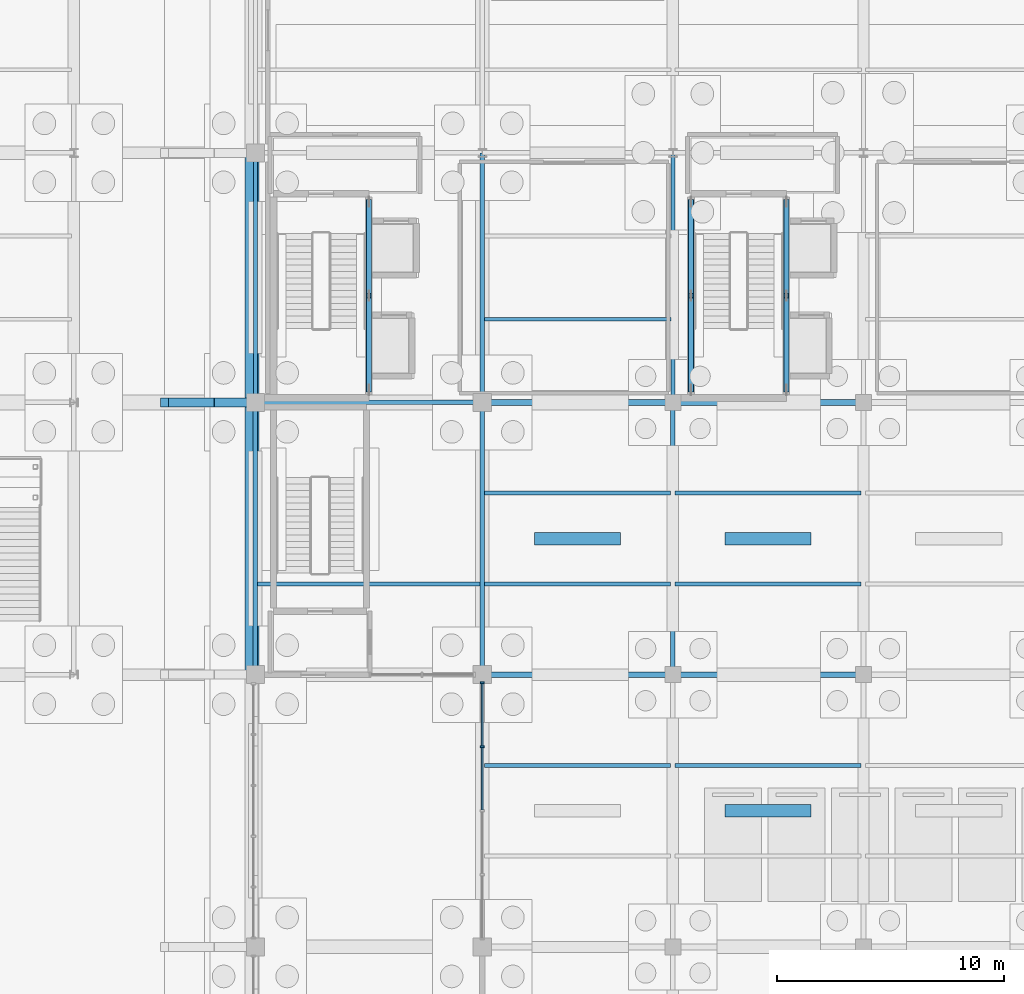
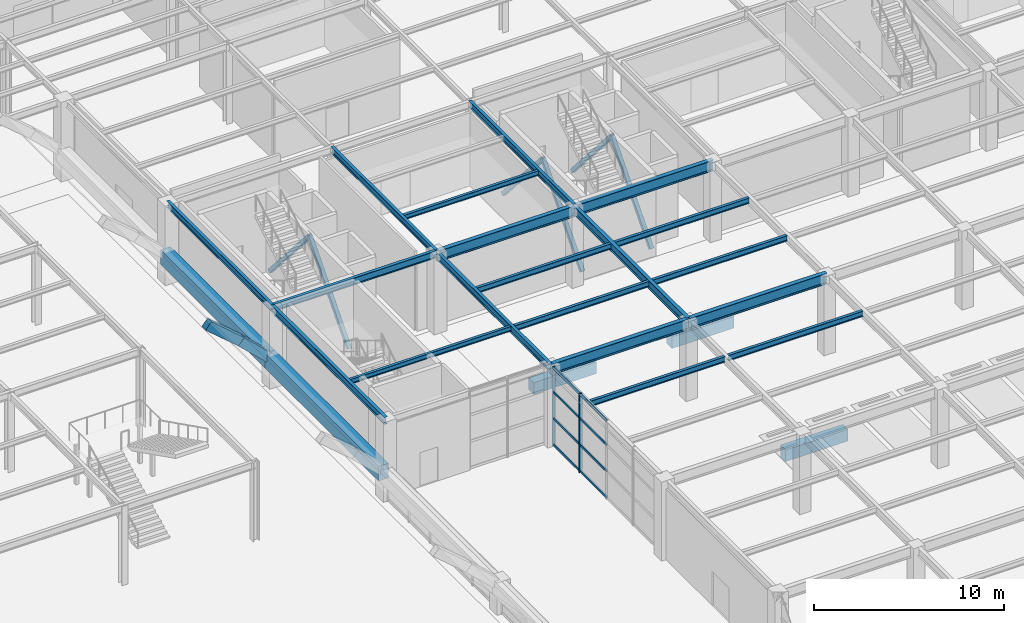
# One storey, part 59 of 129: 26 beams, 16 members, 1 element without a shape of its own.
"""IFC4 building model written with IfcOpenShell, lengths in metres."""

from ifc_helpers import new_model, si_unit, direction, frame, origin, origin_2d, place, context, subcontext, project, spatial, rectangle, hollow_rectangle, i_section, extrude, material, layer, layer_set, material_profile, profile_set, type_object, element, aggregate, save


model = new_model("IFC4")

# Units and contexts
model_context = context("Model", 3, precision=1e-05, world=origin(), true_north=direction((0.0, 1.0)))
body_context = subcontext(model_context, "Body", "Model", "MODEL_VIEW")
ifc_project = project(units=[si_unit("LENGTHUNIT", "METRE"), si_unit("AREAUNIT", "SQUARE_METRE"), si_unit("VOLUMEUNIT", "CUBIC_METRE"), si_unit("PLANEANGLEUNIT", "RADIAN"), si_unit("MASSUNIT", "GRAM", prefix="KILO")], contexts=[model_context])

# Site, building, storey
site_placement = place(None, origin())
site = spatial("IfcSite", under=ifc_project, at=site_placement, CompositionType="ELEMENT")
building_placement = place(site_placement, origin())
building = spatial("IfcBuilding", under=site, at=building_placement, Name="Sitalva Quay Ferry Terminal", CompositionType="ELEMENT")
storey_placement = place(building_placement, origin())
storey = spatial("IfcBuildingStorey", under=building, at=storey_placement, Name="L01", CompositionType="ELEMENT", Elevation=0.0)

# Beams
ifc_material_1 = material(Name="Concrete C40/50", Category="concrete")
ifc_material_profile_1 = material_profile(ifc_material_1, rectangle(XDim=0.39990234375, YDim=0.550048828125, at=origin_2d()), Name="RC400x550")
ifc_profile_set_1 = profile_set([ifc_material_profile_1], Name="Concrete C40/50")
beam_type_1 = type_object("IfcBeamType", Name="Beam_Arch_RC400x550", PredefinedType="BEAM", material=ifc_profile_set_1)
beam_1_placement = place(storey_placement, frame((70.0, 78.0, 5.219482421875), z_axis=(0.760297282494, 0.0, -0.649575278342), x_axis=(0.0, 1.0, 0.0)))
element("IfcBeam", 1, at=beam_1_placement, inside=storey, type_object=beam_type_1, Name="Vault V1 transverse arch rib 7.15", PredefinedType="BEAM", context=body_context, shape_type="SweptSolid", body=[
    extrude(rectangle(XDim=0.39990234375, YDim=0.550048828125, at=origin_2d()), origin(), (0.0, 0.0, 1.0), 2.630615234375),
])
beam_2_placement = place(storey_placement, frame((72.0, 78.0, 3.500732421875), z_axis=(0.725680279623, 0.0, -0.688032071757), x_axis=(0.0, 1.0, 0.0)))
element("IfcBeam", 2, at=beam_2_placement, inside=storey, type_object=beam_type_1, Name="Vault V1 transverse arch rib 7.16", PredefinedType="BEAM", context=body_context, shape_type="SweptSolid", body=[
    extrude(rectangle(XDim=0.39990234375, YDim=0.550048828125, at=origin_2d()), origin(), (0.0, 0.0, 1.0), 2.756103515625),
])
ifc_material_2 = material(Name="Concrete C40/50", Category="concrete")
ifc_material_profile_2 = material_profile(ifc_material_2, rectangle(XDim=0.60009765625, YDim=0.949951171875, at=origin_2d()), Name="RC600x950")
ifc_profile_set_2 = profile_set([ifc_material_profile_2], Name="Concrete C40/50")
beam_type_2 = type_object("IfcBeamType", Name="Beam_Edge_RC600x950", PredefinedType="BEAM", material=ifc_profile_set_2)
beam_3_placement = place(storey_placement, frame((73.85009765625, 66.0, 1.625), z_axis=(0.0, 1.0, 0.0), x_axis=(-1.0, 0.0, 0.0)))
element("IfcBeam", 3, at=beam_3_placement, inside=storey, type_object=beam_type_2, Name="Vault V1 longitudinal springing edge beam E bay 6", PredefinedType="BEAM", context=body_context, shape_type="SweptSolid", body=[
    extrude(rectangle(XDim=0.60009765625, YDim=0.949951171875, at=origin_2d()), origin(), (0.0, 0.0, 1.0), 12.0),
])
beam_4_placement = place(storey_placement, frame((73.85009765625, 78.0, 1.625), z_axis=(0.0, 1.0, 0.0), x_axis=(-1.0, 0.0, 0.0)))
element("IfcBeam", 4, at=beam_4_placement, inside=storey, type_object=beam_type_2, Name="Vault V1 longitudinal springing edge beam E bay 7", PredefinedType="BEAM", context=body_context, shape_type="SweptSolid", body=[
    extrude(rectangle(XDim=0.60009765625, YDim=0.949951171875, at=origin_2d()), origin(), (0.0, 0.0, 1.0), 11.0),
])
ifc_material_3 = material(Name="Structural Steel S355JR", Category="steel")
ifc_material_profile_3 = material_profile(ifc_material_3, i_section(OverallWidth=0.180908203125, OverallDepth=0.4169921875, WebThickness=0.010986328125, FlangeThickness=0.018310546875, FilletRadius=0.012939453125, at=origin_2d()), Name="W410x85")
ifc_profile_set_3 = profile_set([ifc_material_profile_3], Name="Structural Steel S355JR")
beam_type_3 = type_object("IfcBeamType", Name="Beam_W410x85", PredefinedType="BEAM", material=ifc_profile_set_3)
for number, where, z_axis, x_axis, name in (
    (5, (74.0, 78.0, 4.91162109375), (0.0, 1.0, 0.0), (-1.0, 0.0, 0.0), "L01 Primary Y girder 0524"),
    (6, (84.0, 78.0, 4.91162109375), (0.0, 1.0, 0.0), (-1.0, 0.0, 0.0), "L01 Primary Y girder 0527"),
    (7, (92.39990234375, 78.0, 4.91162109375), (0.0, 1.0, 0.0), (-1.0, 0.0, 0.0), "L01 Primary Y girder 0530"),
):
    element("IfcBeam", number, at=place(storey_placement, frame(where, z_axis=z_axis, x_axis=x_axis)), inside=storey, type_object=beam_type_3, Name=name, PredefinedType="BEAM", context=body_context, shape_type="SweptSolid", body=[
        extrude(i_section(OverallWidth=0.180908203125, OverallDepth=0.4169921875, WebThickness=0.010986328125, FlangeThickness=0.018310546875, FilletRadius=0.012939453125, at=origin_2d()), origin(), (0.0, 0.0, 1.0), 11.0),
    ])
ifc_material_4 = material(Name="Structural Steel S355JR", Category="steel")
ifc_material_profile_4 = material_profile(ifc_material_4, i_section(OverallWidth=0.19091796875, OverallDepth=0.4599609375, WebThickness=0.010009765625, FlangeThickness=0.01611328125, FilletRadius=0.013916015625, at=origin_2d()), Name="W460x82")
ifc_profile_set_4 = profile_set([ifc_material_profile_4], Name="Structural Steel S355JR")
beam_type_4 = type_object("IfcBeamType", Name="Beam_W460x82", PredefinedType="BEAM", material=ifc_profile_set_4)
beam_5_placement = place(storey_placement, frame((74.0, 78.0, 4.889892578125), z_axis=(1.0, 0.0, 0.0), x_axis=(0.0, 1.0, 0.0)))
element("IfcBeam", 8, at=beam_5_placement, inside=storey, type_object=beam_type_4, Name="L01 Primary X girder 0183", PredefinedType="BEAM", context=body_context, shape_type="SweptSolid", body=[
    extrude(i_section(OverallWidth=0.19091796875, OverallDepth=0.4599609375, WebThickness=0.010009765625, FlangeThickness=0.01611328125, FilletRadius=0.013916015625, at=origin_2d()), origin(), (0.0, 0.0, 1.0), 10.0),
])
for number, where, z_axis, x_axis, name in (
    (9, (74.0, 66.0, 4.889892578125), (0.0, 1.0, 0.0), (-1.0, 0.0, 0.0), "L01 Primary Y girder 0184"),
    (10, (84.0, 66.0, 4.85009765625), (0.0, 1.0, 0.0), (-1.0, 0.0, 0.0), "L01 Primary Y girder 0185"),
):
    element("IfcBeam", number, at=place(storey_placement, frame(where, z_axis=z_axis, x_axis=x_axis)), inside=storey, type_object=beam_type_4, Name=name, PredefinedType="BEAM", context=body_context, shape_type="SweptSolid", body=[
        extrude(i_section(OverallWidth=0.19091796875, OverallDepth=0.4599609375, WebThickness=0.010009765625, FlangeThickness=0.01611328125, FilletRadius=0.013916015625, at=origin_2d()), origin(), (0.0, 0.0, 1.0), 12.0),
    ])

# Members
ifc_material_5 = material(Name="Structural Steel S355JR", Category="steel")
ifc_material_profile_5 = material_profile(ifc_material_5, hollow_rectangle(XDim=0.25, YDim=0.25, WallThickness=0.012451171875, InnerFilletRadius=0.012451171875, OuterFilletRadius=0.02490234375, at=origin_2d()), Name="SHS250x250x12.5")
ifc_profile_set_5 = profile_set([ifc_material_profile_5], Name="Structural Steel S355JR")
member_type_1 = type_object("IfcMemberType", Name="Brace_SHS250x12", PredefinedType="BRACE", material=ifc_profile_set_5)
member_1_placement = place(storey_placement, frame((79.0, 78.550048828125, 0.14990234375), z_axis=(0.0, 0.657934438932, 0.753075211428), x_axis=(-1.0, 0.0, 0.0)))
element("IfcMember", 11, at=member_1_placement, inside=storey, type_object=member_type_1, Name="Braced frame BF2 L01 chevron A", PredefinedType="BRACE", context=body_context, shape_type="SweptSolid", body=[
    extrude(hollow_rectangle(XDim=0.25, YDim=0.25, WallThickness=0.012451171875, InnerFilletRadius=0.012451171875, OuterFilletRadius=0.02490234375, at=origin_2d()), origin(), (0.0, 0.0, 1.0), 6.307373046875),
])
member_2_placement = place(storey_placement, frame((79.0, 82.699951171875, 4.89990234375), z_axis=(0.0, 0.657956389457, -0.753056033488), x_axis=(-1.0, 0.0, 0.0)))
element("IfcMember", 12, at=member_2_placement, inside=storey, type_object=member_type_1, Name="Braced frame BF2 L01 chevron B", PredefinedType="BRACE", context=body_context, shape_type="SweptSolid", body=[
    extrude(hollow_rectangle(XDim=0.25, YDim=0.25, WallThickness=0.012451171875, InnerFilletRadius=0.012451171875, OuterFilletRadius=0.02490234375, at=origin_2d()), origin(), (0.0, 0.0, 1.0), 6.3076171875),
])
member_3_placement = place(storey_placement, frame((97.39990234375, 78.550048828125, 0.14990234375), z_axis=(0.0, 0.657934438932, 0.753075211428), x_axis=(-1.0, 0.0, 0.0)))
element("IfcMember", 13, at=member_3_placement, inside=storey, type_object=member_type_1, Name="Braced frame BF3 L01 chevron A", PredefinedType="BRACE", context=body_context, shape_type="SweptSolid", body=[
    extrude(hollow_rectangle(XDim=0.25, YDim=0.25, WallThickness=0.012451171875, InnerFilletRadius=0.012451171875, OuterFilletRadius=0.02490234375, at=origin_2d()), origin(), (0.0, 0.0, 1.0), 6.307373046875),
])
member_4_placement = place(storey_placement, frame((97.39990234375, 82.699951171875, 4.89990234375), z_axis=(0.0, 0.657956389457, -0.753056033488), x_axis=(-1.0, 0.0, 0.0)))
element("IfcMember", 14, at=member_4_placement, inside=storey, type_object=member_type_1, Name="Braced frame BF3 L01 chevron B", PredefinedType="BRACE", context=body_context, shape_type="SweptSolid", body=[
    extrude(hollow_rectangle(XDim=0.25, YDim=0.25, WallThickness=0.012451171875, InnerFilletRadius=0.012451171875, OuterFilletRadius=0.02490234375, at=origin_2d()), origin(), (0.0, 0.0, 1.0), 6.3076171875),
])
member_5_placement = place(storey_placement, frame((93.199951171875, 78.550048828125, 0.14990234375), z_axis=(0.0, 0.657934438932, 0.753075211428), x_axis=(-1.0, 0.0, 0.0)))
element("IfcMember", 15, at=member_5_placement, inside=storey, type_object=member_type_1, Name="Braced frame BF6 L01 chevron A", PredefinedType="BRACE", context=body_context, shape_type="SweptSolid", body=[
    extrude(hollow_rectangle(XDim=0.25, YDim=0.25, WallThickness=0.012451171875, InnerFilletRadius=0.012451171875, OuterFilletRadius=0.02490234375, at=origin_2d()), origin(), (0.0, 0.0, 1.0), 6.307373046875),
])
member_6_placement = place(storey_placement, frame((93.199951171875, 82.699951171875, 4.89990234375), z_axis=(0.0, 0.657956389457, -0.753056033488), x_axis=(-1.0, 0.0, 0.0)))
element("IfcMember", 16, at=member_6_placement, inside=storey, type_object=member_type_1, Name="Braced frame BF6 L01 chevron B", PredefinedType="BRACE", context=body_context, shape_type="SweptSolid", body=[
    extrude(hollow_rectangle(XDim=0.25, YDim=0.25, WallThickness=0.012451171875, InnerFilletRadius=0.012451171875, OuterFilletRadius=0.02490234375, at=origin_2d()), origin(), (0.0, 0.0, 1.0), 6.3076171875),
])

# Beams
ifc_material_6 = material(Name="Structural Steel S355JR", Category="steel")
ifc_material_profile_6 = material_profile(ifc_material_6, i_section(OverallWidth=0.2119140625, OverallDepth=0.5439453125, WebThickness=0.01318359375, FlangeThickness=0.021240234375, FilletRadius=0.014892578125, at=origin_2d()), Name="W530x123")
ifc_profile_set_6 = profile_set([ifc_material_profile_6], Name="Structural Steel S355JR")
beam_type_5 = type_object("IfcBeamType", Name="Girder_W530x123", PredefinedType="USERDEFINED", material=ifc_profile_set_6)
beam_6_placement = place(storey_placement, frame((92.39990234375, 66.0, 4.80810546875), z_axis=(0.0, 1.0, 0.0), x_axis=(-1.0, 0.0, 0.0)))
element("IfcBeam", 17, at=beam_6_placement, inside=storey, type_object=beam_type_5, Name="L01 Primary Y girder 0294", ObjectType="GIRDER", PredefinedType="USERDEFINED", context=body_context, shape_type="SweptSolid", body=[
    extrude(i_section(OverallWidth=0.2119140625, OverallDepth=0.5439453125, WebThickness=0.01318359375, FlangeThickness=0.021240234375, FilletRadius=0.014892578125, at=origin_2d()), origin(), (0.0, 0.0, 1.0), 12.0),
])
ifc_material_7 = material(Name="Structural Steel S355JR", Category="steel")
ifc_material_profile_7 = material_profile(ifc_material_7, i_section(OverallWidth=0.256103515625, OverallDepth=0.693115234375, WebThickness=0.014404296875, FlangeThickness=0.023681640625, FilletRadius=0.01806640625, at=origin_2d()), Name="W690x170")
ifc_profile_set_7 = profile_set([ifc_material_profile_7], Name="Structural Steel S355JR")
beam_type_6 = type_object("IfcBeamType", Name="Girder_W690x170", PredefinedType="USERDEFINED", material=ifc_profile_set_7)
beam_7_placement = place(storey_placement, frame((84.0, 66.0, 4.7333984375), z_axis=(1.0, 0.0, 0.0), x_axis=(0.0, 1.0, 0.0)))
element("IfcBeam", 18, at=beam_7_placement, inside=storey, type_object=beam_type_6, Name="L01 Primary X girder 0267", ObjectType="GIRDER", PredefinedType="USERDEFINED", context=body_context, shape_type="SweptSolid", body=[
    extrude(i_section(OverallWidth=0.256103515625, OverallDepth=0.693115234375, WebThickness=0.014404296875, FlangeThickness=0.023681640625, FilletRadius=0.01806640625, at=origin_2d()), origin(), (0.0, 0.0, 1.0), 8.39990234375),
])
beam_8_placement = place(storey_placement, frame((92.39990234375, 66.0, 4.7333984375), z_axis=(1.0, 0.0, 0.0), x_axis=(0.0, 1.0, 0.0)))
element("IfcBeam", 19, at=beam_8_placement, inside=storey, type_object=beam_type_6, Name="L01 Primary X girder 0268", ObjectType="GIRDER", PredefinedType="USERDEFINED", context=body_context, shape_type="SweptSolid", body=[
    extrude(i_section(OverallWidth=0.256103515625, OverallDepth=0.693115234375, WebThickness=0.014404296875, FlangeThickness=0.023681640625, FilletRadius=0.01806640625, at=origin_2d()), origin(), (0.0, 0.0, 1.0), 8.400146484375),
])
beam_9_placement = place(storey_placement, frame((84.0, 78.0, 4.7333984375), z_axis=(1.0, 0.0, 0.0), x_axis=(0.0, 1.0, 0.0)))
element("IfcBeam", 20, at=beam_9_placement, inside=storey, type_object=beam_type_6, Name="L01 Primary X girder 0277", ObjectType="GIRDER", PredefinedType="USERDEFINED", context=body_context, shape_type="SweptSolid", body=[
    extrude(i_section(OverallWidth=0.256103515625, OverallDepth=0.693115234375, WebThickness=0.014404296875, FlangeThickness=0.023681640625, FilletRadius=0.01806640625, at=origin_2d()), origin(), (0.0, 0.0, 1.0), 8.39990234375),
])
beam_10_placement = place(storey_placement, frame((92.39990234375, 78.0, 4.7333984375), z_axis=(1.0, 0.0, 0.0), x_axis=(0.0, 1.0, 0.0)))
element("IfcBeam", 21, at=beam_10_placement, inside=storey, type_object=beam_type_6, Name="L01 Primary X girder 0278", ObjectType="GIRDER", PredefinedType="USERDEFINED", context=body_context, shape_type="SweptSolid", body=[
    extrude(i_section(OverallWidth=0.256103515625, OverallDepth=0.693115234375, WebThickness=0.014404296875, FlangeThickness=0.023681640625, FilletRadius=0.01806640625, at=origin_2d()), origin(), (0.0, 0.0, 1.0), 8.400146484375),
])
ifc_material_8 = material(Name="Structural Steel S355JR", Category="steel")
ifc_material_profile_8 = material_profile(ifc_material_8, i_section(OverallWidth=0.166015625, OverallDepth=0.31298828125, WebThickness=0.006591796875, FlangeThickness=0.01123046875, FilletRadius=0.010986328125, at=origin_2d()), Name="W310x45")
ifc_profile_set_8 = profile_set([ifc_material_profile_8], Name="Structural Steel S355JR")
beam_type_7 = type_object("IfcBeamType", Name="Joist_W310x45", PredefinedType="JOIST", material=ifc_profile_set_8)
beam_11_placement = place(storey_placement, frame((74.095458984375, 70.0, 4.96337890625), z_axis=(1.0, 0.0, 0.0), x_axis=(0.0, 1.0, 0.0)))
element("IfcBeam", 22, at=beam_11_placement, inside=storey, type_object=beam_type_7, Name="L01 Secondary joist 0186", PredefinedType="JOIST", context=body_context, shape_type="SweptSolid", body=[
    extrude(i_section(OverallWidth=0.166015625, OverallDepth=0.31298828125, WebThickness=0.006591796875, FlangeThickness=0.01123046875, FilletRadius=0.010986328125, at=origin_2d()), origin(), (0.0, 0.0, 1.0), 9.80908203125),
])
beam_12_placement = place(storey_placement, frame((84.090576171875, 81.666748046875, 4.96337890625), z_axis=(1.0, 0.0, 0.0), x_axis=(0.0, 1.0, 0.0)))
element("IfcBeam", 23, at=beam_12_placement, inside=storey, type_object=beam_type_7, Name="L01 Secondary joist 0560", PredefinedType="JOIST", context=body_context, shape_type="SweptSolid", body=[
    extrude(i_section(OverallWidth=0.166015625, OverallDepth=0.31298828125, WebThickness=0.006591796875, FlangeThickness=0.01123046875, FilletRadius=0.010986328125, at=origin_2d()), origin(), (0.0, 0.0, 1.0), 8.218994140625),
])
ifc_material_9 = material(Name="Structural Steel S355JR", Category="steel")
ifc_material_profile_9 = material_profile(ifc_material_9, i_section(OverallWidth=0.172119140625, OverallDepth=0.35791015625, WebThickness=0.0078125, FlangeThickness=0.01318359375, FilletRadius=0.011962890625, at=origin_2d()), Name="W360x57")
ifc_profile_set_9 = profile_set([ifc_material_profile_9], Name="Structural Steel S355JR")
beam_type_8 = type_object("IfcBeamType", Name="Joist_W360x57", PredefinedType="JOIST", material=ifc_profile_set_9)
for number, where, z_axis, x_axis, name in (
    (24, (84.10009765625, 62.0, 4.90087890625), (1.0, 0.0, 0.0), (0.0, 1.0, 0.0), "L01 Secondary joist 0408"),
    (25, (92.5, 62.0, 4.90087890625), (1.0, 0.0, 0.0), (0.0, 1.0, 0.0), "L01 Secondary joist 0409"),
    (26, (84.10009765625, 70.0, 4.90087890625), (1.0, 0.0, 0.0), (0.0, 1.0, 0.0), "L01 Secondary joist 0418"),
    (27, (92.5, 70.0, 4.90087890625), (1.0, 0.0, 0.0), (0.0, 1.0, 0.0), "L01 Secondary joist 0419"),
    (28, (84.10009765625, 74.0, 4.90087890625), (1.0, 0.0, 0.0), (0.0, 1.0, 0.0), "L01 Secondary joist 0427"),
    (29, (92.5, 74.0, 4.90087890625), (1.0, 0.0, 0.0), (0.0, 1.0, 0.0), "L01 Secondary joist 0428"),
):
    element("IfcBeam", number, at=place(storey_placement, frame(where, z_axis=z_axis, x_axis=x_axis)), inside=storey, type_object=beam_type_8, Name=name, PredefinedType="JOIST", context=body_context, shape_type="SweptSolid", body=[
        extrude(i_section(OverallWidth=0.172119140625, OverallDepth=0.35791015625, WebThickness=0.0078125, FlangeThickness=0.01318359375, FilletRadius=0.011962890625, at=origin_2d()), origin(), (0.0, 0.0, 1.0), 8.199951171875),
    ])

# Curtain wall, members
ifc_material_10 = material(Name="Anodised Aluminium & Low-E Glazing", Category="aluminium")
ifc_layer = layer(ifc_material_10, 0.159912109375)
ifc_layer_set = layer_set([ifc_layer], Name="Anodised Aluminium & Low-E Glazing")
curtain_wall_type = type_object("IfcCurtainWallType", Name="CW_Coastal_Louvred", PredefinedType="USERDEFINED", material=ifc_layer_set)
curtain_wall_placement = place(storey_placement, origin())
curtain_wall = element("IfcCurtainWall", 30, at=curtain_wall_placement, inside=storey, type_object=curtain_wall_type, Name="L01 east court louvred wall (CW-L01-077)", ObjectType="CURTAIN_WALL", PredefinedType="USERDEFINED")
ifc_material_11 = material(Name="Anodised Aluminium 6063-T6", Category="aluminium")
ifc_material_profile_10 = material_profile(ifc_material_11, rectangle(XDim=0.080078125, YDim=0.18505859375, at=origin_2d()), Name="ALU80x185")
ifc_profile_set_10 = profile_set([ifc_material_profile_10], Name="Anodised Aluminium 6063-T6")
member_type_2 = type_object("IfcMemberType", Name="Mullion_Alu_80x185", PredefinedType="MULLION", material=ifc_profile_set_10)
member_7_placement = place(storey_placement, frame((84.0, 62.824951171875, 0.0), z_axis=(0.0, 0.0, 1.0), x_axis=(0.0, 1.0, 0.0)))
member_7 = element("IfcMember", 31, at=member_7_placement, type_object=member_type_2, Name="CW-L01-077-M3", PredefinedType="MULLION", context=body_context, shape_type="SweptSolid", body=[
    extrude(rectangle(XDim=0.080078125, YDim=0.18505859375, at=origin_2d()), origin(), (0.0, 0.0, 1.0), 5.080078125),
])
member_8_placement = place(storey_placement, frame((84.0, 65.64990234375, 0.0), z_axis=(0.0, 0.0, 1.0), x_axis=(0.0, 1.0, 0.0)))
member_8 = element("IfcMember", 32, at=member_8_placement, type_object=member_type_2, Name="CW-L01-077-M4", PredefinedType="MULLION", context=body_context, shape_type="SweptSolid", body=[
    extrude(rectangle(XDim=0.080078125, YDim=0.18505859375, at=origin_2d()), origin(), (0.0, 0.0, 1.0), 5.080078125),
])

# Beams
ifc_material_12 = material(Name="Concrete C35/45", Category="concrete")
ifc_material_profile_11 = material_profile(ifc_material_12, rectangle(XDim=0.550048828125, YDim=0.75, at=origin_2d()), Name="RC550x750")
ifc_profile_set_11 = profile_set([ifc_material_profile_11], Name="Concrete C35/45")
beam_type_9 = type_object("IfcBeamType", Name="TBeam_Quay_RC550x750", PredefinedType="T_BEAM", material=ifc_profile_set_11)
for number, where, z_axis, x_axis, name in (
    (33, (94.699951171875, 60.0, -0.824951171875), (1.0, 0.0, 0.0), (0.0, 1.0, 0.0), "L01 Ro-Ro quay deck T-beam 0090"),
    (34, (86.300048828125, 72.0, -0.824951171875), (1.0, 0.0, 0.0), (0.0, 1.0, 0.0), "L01 Ro-Ro quay deck T-beam 0102"),
    (35, (94.699951171875, 72.0, -0.824951171875), (1.0, 0.0, 0.0), (0.0, 1.0, 0.0), "L01 Ro-Ro quay deck T-beam 0103"),
):
    element("IfcBeam", number, at=place(storey_placement, frame(where, z_axis=z_axis, x_axis=x_axis)), inside=storey, type_object=beam_type_9, Name=name, PredefinedType="T_BEAM", context=body_context, shape_type="SweptSolid", body=[
        extrude(rectangle(XDim=0.550048828125, YDim=0.75, at=origin_2d()), origin(), (0.0, 0.0, 1.0), 3.800048828125),
    ])

# Member
ifc_material_13 = material(Name="Anodised Aluminium 6063-T6", Category="aluminium")
ifc_material_profile_12 = material_profile(ifc_material_13, rectangle(XDim=0.074951171875, YDim=0.14990234375, at=origin_2d()), Name="ALU75x150")
ifc_profile_set_12 = profile_set([ifc_material_profile_12], Name="Anodised Aluminium 6063-T6")
member_type_3 = type_object("IfcMemberType", Name="Transom_Alu_75x140", PredefinedType="MULLION", material=ifc_profile_set_12)
member_9_placement = place(storey_placement, frame((84.0, 60.0400390625, 0.074951171875), z_axis=(0.0, 1.0, 0.0), x_axis=(-1.0, 0.0, 0.0)))
member_9 = element("IfcMember", 36, at=member_9_placement, type_object=member_type_3, Name="CW-L01-077-T2-0", ObjectType="TRANSOM", PredefinedType="USERDEFINED", context=body_context, shape_type="SweptSolid", body=[
    extrude(rectangle(XDim=0.074951171875, YDim=0.14990234375, at=origin_2d()), origin(), (0.0, 0.0, 1.0), 2.744873046875),
])

member_10_placement = place(storey_placement, frame((84.0, 60.0400390625, 1.768310546875), z_axis=(0.0, 1.0, 0.0), x_axis=(-1.0, 0.0, 0.0)))
member_10 = element("IfcMember", 37, at=member_10_placement, type_object=member_type_3, Name="CW-L01-077-T2-1", ObjectType="TRANSOM", PredefinedType="USERDEFINED", context=body_context, shape_type="SweptSolid", body=[
    extrude(rectangle(XDim=0.074951171875, YDim=0.14990234375, at=origin_2d()), origin(), (0.0, 0.0, 1.0), 2.744873046875),
])

member_11_placement = place(storey_placement, frame((84.0, 60.0400390625, 3.461669921875), z_axis=(0.0, 1.0, 0.0), x_axis=(-1.0, 0.0, 0.0)))
member_11 = element("IfcMember", 38, at=member_11_placement, type_object=member_type_3, Name="CW-L01-077-T2-2", ObjectType="TRANSOM", PredefinedType="USERDEFINED", context=body_context, shape_type="SweptSolid", body=[
    extrude(rectangle(XDim=0.074951171875, YDim=0.14990234375, at=origin_2d()), origin(), (0.0, 0.0, 1.0), 2.744873046875),
])

member_12_placement = place(storey_placement, frame((84.0, 60.0400390625, 5.0048828125), z_axis=(0.0, 1.0, 0.0), x_axis=(-1.0, 0.0, 0.0)))
member_12 = element("IfcMember", 39, at=member_12_placement, type_object=member_type_3, Name="CW-L01-077-T2-3", ObjectType="TRANSOM", PredefinedType="USERDEFINED", context=body_context, shape_type="SweptSolid", body=[
    extrude(rectangle(XDim=0.074951171875, YDim=0.14990234375, at=origin_2d()), origin(), (0.0, 0.0, 1.0), 2.744873046875),
])

member_13_placement = place(storey_placement, frame((84.0, 62.864990234375, 0.074951171875), z_axis=(0.0, 1.0, 0.0), x_axis=(-1.0, 0.0, 0.0)))
member_13 = element("IfcMember", 40, at=member_13_placement, type_object=member_type_3, Name="CW-L01-077-T3-0", ObjectType="TRANSOM", PredefinedType="USERDEFINED", context=body_context, shape_type="SweptSolid", body=[
    extrude(rectangle(XDim=0.074951171875, YDim=0.14990234375, at=origin_2d()), origin(), (0.0, 0.0, 1.0), 2.7451171875),
])

member_14_placement = place(storey_placement, frame((84.0, 62.864990234375, 1.768310546875), z_axis=(0.0, 1.0, 0.0), x_axis=(-1.0, 0.0, 0.0)))
member_14 = element("IfcMember", 41, at=member_14_placement, type_object=member_type_3, Name="CW-L01-077-T3-1", ObjectType="TRANSOM", PredefinedType="USERDEFINED", context=body_context, shape_type="SweptSolid", body=[
    extrude(rectangle(XDim=0.074951171875, YDim=0.14990234375, at=origin_2d()), origin(), (0.0, 0.0, 1.0), 2.7451171875),
])

member_15_placement = place(storey_placement, frame((84.0, 62.864990234375, 3.461669921875), z_axis=(0.0, 1.0, 0.0), x_axis=(-1.0, 0.0, 0.0)))
member_15 = element("IfcMember", 42, at=member_15_placement, type_object=member_type_3, Name="CW-L01-077-T3-2", ObjectType="TRANSOM", PredefinedType="USERDEFINED", context=body_context, shape_type="SweptSolid", body=[
    extrude(rectangle(XDim=0.074951171875, YDim=0.14990234375, at=origin_2d()), origin(), (0.0, 0.0, 1.0), 2.7451171875),
])

member_16_placement = place(storey_placement, frame((84.0, 62.864990234375, 5.0048828125), z_axis=(0.0, 1.0, 0.0), x_axis=(-1.0, 0.0, 0.0)))
member_16 = element("IfcMember", 43, at=member_16_placement, type_object=member_type_3, Name="CW-L01-077-T3-3", ObjectType="TRANSOM", PredefinedType="USERDEFINED", context=body_context, shape_type="SweptSolid", body=[
    extrude(rectangle(XDim=0.074951171875, YDim=0.14990234375, at=origin_2d()), origin(), (0.0, 0.0, 1.0), 2.7451171875),
])

aggregate(curtain_wall, [member_7, member_8, member_9, member_10, member_11, member_12, member_13, member_14, member_15, member_16])

save(model, "model.ifc")
